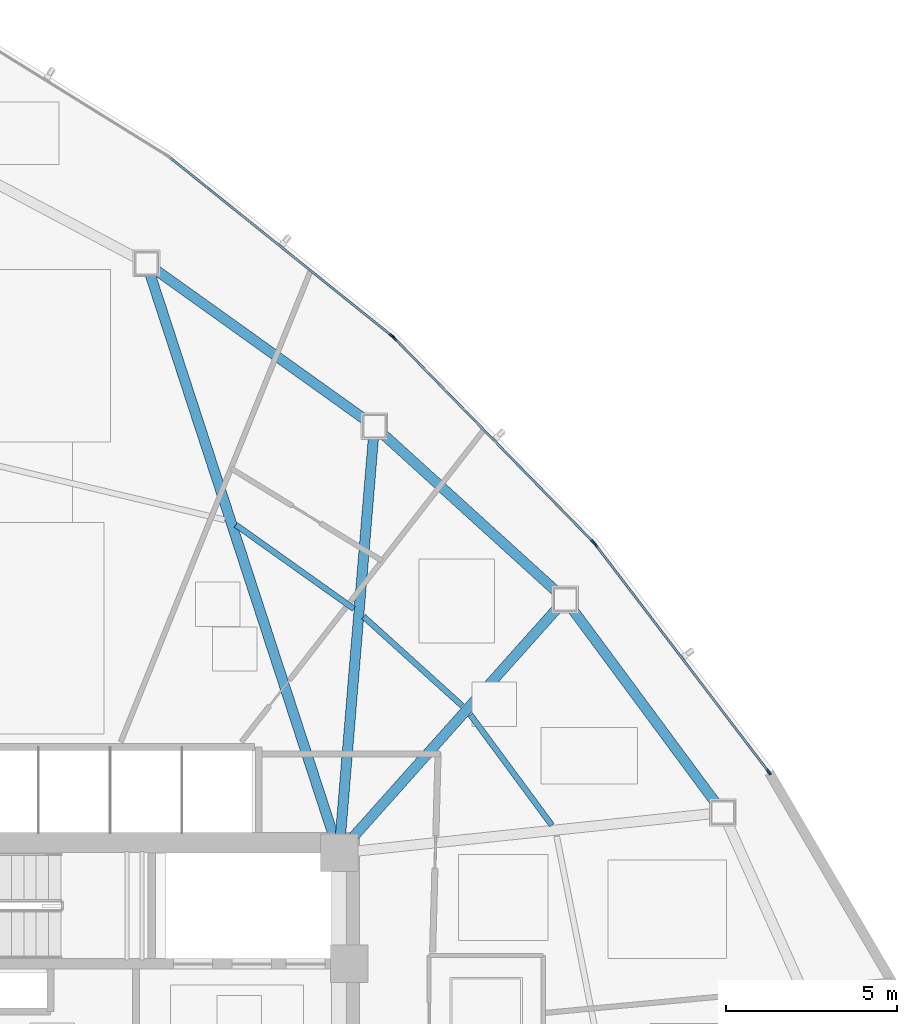
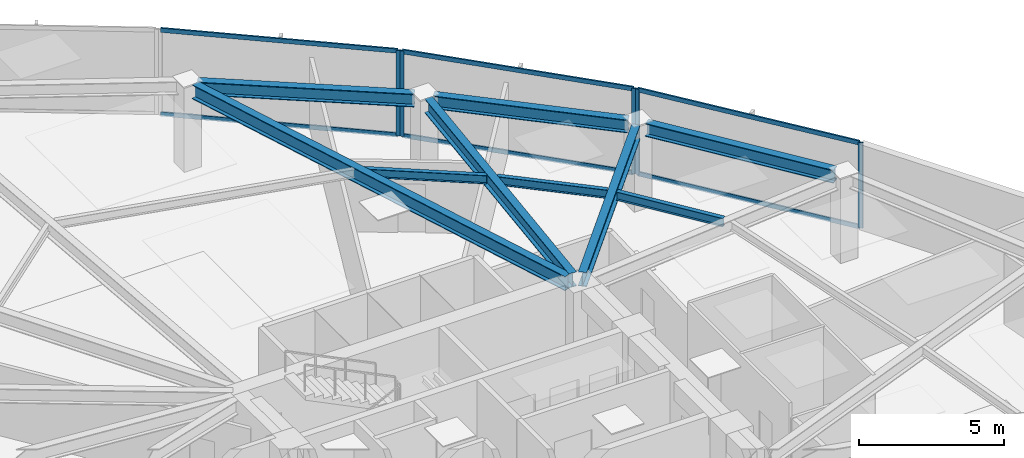
# One storey, part 9 of 17: 11 members, 9 beams, 3 elements without a shape of their own.
"""IFC4 building model written with IfcOpenShell, lengths in metres."""

from ifc_helpers import new_model, si_unit, direction, frame, origin, origin_2d, place, context, subcontext, project, spatial, hollow_rectangle, i_section, extrude, source, transform, mapped, material, layer, layer_set, material_profile, profile_set, type_object, type_shapes, element, aggregate, save


model = new_model("IFC4")

# Units and contexts
model_context = context("Model", 3, precision=1e-05, world=origin(), true_north=direction((0.0, 1.0)))
body_context = subcontext(model_context, "Body", "Model", "MODEL_VIEW")
ifc_project = project(units=[si_unit("LENGTHUNIT", "METRE"), si_unit("AREAUNIT", "SQUARE_METRE"), si_unit("VOLUMEUNIT", "CUBIC_METRE"), si_unit("PLANEANGLEUNIT", "RADIAN"), si_unit("MASSUNIT", "GRAM", prefix="KILO")], contexts=[model_context])

# Site, building, storey
site_placement = place(None, origin())
site = spatial("IfcSite", under=ifc_project, at=site_placement, CompositionType="ELEMENT")
building_placement = place(site_placement, origin())
building = spatial("IfcBuilding", under=site, at=building_placement, Name="Tavelor Broadcast Tower", CompositionType="ELEMENT")
storey_placement = place(building_placement, frame((0.0, 0.0, 70.5)))
storey = spatial("IfcBuildingStorey", under=building, at=storey_placement, Name="L16", CompositionType="ELEMENT", Elevation=70.5)

# Beams
ifc_material_1 = material(Name="Steel S355", Category="steel")
ifc_material_profile_1 = material_profile(ifc_material_1, i_section(OverallWidth=0.169921875, OverallDepth=0.360107421875, WebThickness=0.008056640625, FlangeThickness=0.0126953125, at=origin_2d()), Name="IPE 360")
ifc_profile_set_1 = profile_set([ifc_material_profile_1], Name="Steel S355")
beam_type_1 = type_object("IfcBeamType", Name="Composite Floor Joist T2 IPE 360", PredefinedType="JOIST", material=ifc_profile_set_1)
beam_1_placement = place(storey_placement, frame((62.831298828125, 52.012451171875, 3.419921875), z_axis=(-0.593748309908, 0.804650821463, 0.0), x_axis=(-0.804650821463, -0.593748309908, 0.0)))
element("IfcBeam", 1, at=beam_1_placement, inside=storey, type_object=beam_type_1, Name="L16 Secondary Composite Floor Joist 15", PredefinedType="JOIST", context=body_context, shape_type="SweptSolid", body=[
    extrude(i_section(OverallWidth=0.169921875, OverallDepth=0.360107421875, WebThickness=0.008056640625, FlangeThickness=0.0126953125, at=origin_2d()), origin(), (0.0, 0.0, 1.0), 4.016845703125),
])
beam_2_placement = place(storey_placement, frame((60.20458984375, 55.51171875, 3.419921875), z_axis=(-0.741870075826, 0.670543653011, 0.0), x_axis=(-0.670543653011, -0.741870075826, 0.0)))
element("IfcBeam", 2, at=beam_2_placement, inside=storey, type_object=beam_type_1, Name="L16 Secondary Composite Floor Joist 16", PredefinedType="JOIST", context=body_context, shape_type="SweptSolid", body=[
    extrude(i_section(OverallWidth=0.169921875, OverallDepth=0.360107421875, WebThickness=0.008056640625, FlangeThickness=0.0126953125, at=origin_2d()), origin(), (0.0, 0.0, 1.0), 3.891845703125),
])
beam_3_placement = place(storey_placement, frame((57.03564453125, 58.34765625, 3.419921875), z_axis=(-0.814948080737, 0.579533972864, 0.0), x_axis=(-0.579533972864, -0.814948080737, 0.0)))
element("IfcBeam", 3, at=beam_3_placement, inside=storey, type_object=beam_type_1, Name="L16 Secondary Composite Floor Joist 17", PredefinedType="JOIST", context=body_context, shape_type="SweptSolid", body=[
    extrude(i_section(OverallWidth=0.169921875, OverallDepth=0.360107421875, WebThickness=0.008056640625, FlangeThickness=0.0126953125, at=origin_2d()), origin(), (0.0, 0.0, 1.0), 4.24462890625),
])
ifc_material_profile_2 = material_profile(ifc_material_1, i_section(OverallWidth=0.300048828125, OverallDepth=0.550048828125, WebThickness=0.014892578125, FlangeThickness=0.029052734375, at=origin_2d()), Name="HEB 550")
ifc_profile_set_2 = profile_set([ifc_material_profile_2], Name="Steel S355")
beam_type_2 = type_object("IfcBeamType", Name="Perimeter Spandrel Beam T2 HEB 550", PredefinedType="SPANDREL", material=ifc_profile_set_2)
beam_4_placement = place(storey_placement, frame((67.640869140625, 52.652587890625, 3.324951171875), z_axis=(-0.594676591659, 0.803965018724, 0.0), x_axis=(-0.803965018724, -0.594676591659, 0.0)))
element("IfcBeam", 4, at=beam_4_placement, inside=storey, type_object=beam_type_2, Name="L16 Framed-Tube Ring Spandrel 15", PredefinedType="SPANDREL", context=body_context, shape_type="SweptSolid", body=[
    extrude(i_section(OverallWidth=0.300048828125, OverallDepth=0.550048828125, WebThickness=0.014892578125, FlangeThickness=0.029052734375, at=origin_2d()), origin(), (0.0, 0.0, 1.0), 7.09130859375),
])
beam_5_placement = place(storey_placement, frame((62.975341796875, 58.849609375, 3.324951171875), z_axis=(-0.740416987409, 0.672147814663, 0.0), x_axis=(-0.672147814663, -0.740416987409, 0.0)))
element("IfcBeam", 5, at=beam_5_placement, inside=storey, type_object=beam_type_2, Name="L16 Framed-Tube Ring Spandrel 16", PredefinedType="SPANDREL", context=body_context, shape_type="SweptSolid", body=[
    extrude(i_section(OverallWidth=0.300048828125, OverallDepth=0.550048828125, WebThickness=0.014892578125, FlangeThickness=0.029052734375, at=origin_2d()), origin(), (0.0, 0.0, 1.0), 6.876953125),
])
beam_6_placement = place(storey_placement, frame((57.361572265625, 63.893310546875, 3.324951171875), z_axis=(-0.813492458128, 0.581575464208, 0.0), x_axis=(-0.581575464208, -0.813492458128, 0.0)))
element("IfcBeam", 6, at=beam_6_placement, inside=storey, type_object=beam_type_2, Name="L16 Framed-Tube Ring Spandrel 17", PredefinedType="SPANDREL", context=body_context, shape_type="SweptSolid", body=[
    extrude(i_section(OverallWidth=0.300048828125, OverallDepth=0.550048828125, WebThickness=0.014892578125, FlangeThickness=0.029052734375, at=origin_2d()), origin(), (0.0, 0.0, 1.0), 7.531005859375),
])
ifc_material_profile_3 = material_profile(ifc_material_1, i_section(OverallWidth=0.300048828125, OverallDepth=0.60009765625, WebThickness=0.015380859375, FlangeThickness=0.030029296875, at=origin_2d()), Name="HEB 600")
ifc_profile_set_3 = profile_set([ifc_material_profile_3], Name="Steel S355")
beam_type_3 = type_object("IfcBeamType", Name="Radial Floor Girder T2 HEB 600", PredefinedType="BEAM", material=ifc_profile_set_3)
beam_7_placement = place(storey_placement, frame((56.951416015625, 51.593994140625, 3.300048828125), z_axis=(0.665778646807, 0.74614931043, 0.0), x_axis=(-0.74614931043, 0.665778646807, 0.0)))
element("IfcBeam", 7, at=beam_7_placement, inside=storey, type_object=beam_type_3, Name="L16 Radial Primary Floor Girder 16", PredefinedType="BEAM", context=body_context, shape_type="SweptSolid", body=[
    extrude(i_section(OverallWidth=0.300048828125, OverallDepth=0.60009765625, WebThickness=0.015380859375, FlangeThickness=0.030029296875, at=origin_2d()), origin(), (0.0, 0.0, 1.0), 9.085693359375),
])
beam_8_placement = place(storey_placement, frame((56.6435546875, 51.726318359375, 3.300048828125), z_axis=(0.082528077466, 0.996588739867, 0.0), x_axis=(-0.996588739867, 0.082528077466, 0.0)))
element("IfcBeam", 8, at=beam_8_placement, inside=storey, type_object=beam_type_3, Name="L16 Radial Primary Floor Girder 17", PredefinedType="BEAM", context=body_context, shape_type="SweptSolid", body=[
    extrude(i_section(OverallWidth=0.300048828125, OverallDepth=0.60009765625, WebThickness=0.015380859375, FlangeThickness=0.030029296875, at=origin_2d()), origin(), (0.0, 0.0, 1.0), 11.67626953125),
])
beam_9_placement = place(storey_placement, frame((56.43603515625, 51.701904296875, 3.300048828125), z_axis=(-0.310367170997, 0.950616757251, 0.0), x_axis=(-0.950616757251, -0.310367170997, 0.0)))
element("IfcBeam", 9, at=beam_9_placement, inside=storey, type_object=beam_type_3, Name="L16 Radial Primary Floor Girder 18", PredefinedType="BEAM", context=body_context, shape_type="SweptSolid", body=[
    extrude(i_section(OverallWidth=0.300048828125, OverallDepth=0.60009765625, WebThickness=0.015380859375, FlangeThickness=0.030029296875, at=origin_2d()), origin(), (0.0, 0.0, 1.0), 17.3017578125),
])

# Curtain wall, members
ifc_material_2 = material(Name="Architectural Anodized Aluminium", Category="aluminium")
ifc_layer = layer(ifc_material_2, 0.179931640625)
ifc_layer_set = layer_set([ifc_layer], Name="Architectural Anodized Aluminium")
curtain_wall_type = type_object("IfcCurtainWallType", Name="Tower Low-Zone Unitised Curtain Wall CW02", PredefinedType="NOTDEFINED", material=ifc_layer_set)
curtain_wall_1_placement = place(storey_placement, origin())
curtain_wall_1 = element("IfcCurtainWall", 10, at=curtain_wall_1_placement, inside=storey, type_object=curtain_wall_type, Name="L16 Curtain Wall CW02 Run 153", PredefinedType="NOTDEFINED")
ifc_material_profile_4 = material_profile(ifc_material_2, hollow_rectangle(XDim=0.06494140625, YDim=0.179931640625, WallThickness=0.02197265625, at=origin_2d()), Name="RHS 65x180x22")
ifc_profile_set_4 = profile_set([ifc_material_profile_4], Name="Architectural Anodized Aluminium")
member_type_1 = type_object("IfcMemberType", Name="CW02 Extruded Aluminium Mullion 65x180", PredefinedType="MULLION", material=ifc_profile_set_4)
shared_shape_1 = source(origin(), body_context, "Body", "SweptSolid", [
    extrude(hollow_rectangle(XDim=0.06494140625, YDim=0.179931640625, WallThickness=0.02197265625, at=origin_2d()), origin(), (0.0, 0.0, 1.0), 3.60009765625),
])
type_shapes(member_type_1, [shared_shape_1])
member_1_placement = place(storey_placement, frame((69.186279296875, 53.571044921875, 0.0), z_axis=(0.0, 0.0, 1.0), x_axis=(-0.795209559218, -0.60633469052, 0.0)))
member_1 = element("IfcMember", 11, at=member_1_placement, type_object=member_type_1, Name="CW02 mullion 1", PredefinedType="MULLION", context=body_context, shape_type="MappedRepresentation", body=[
    mapped(shared_shape_1, transform((0.0, 0.0, 0.0), scale=1.0)),
])
member_2_placement = place(storey_placement, frame((64.112060546875, 60.22607421875, 0.0), z_axis=(0.0, 0.0, 1.0), x_axis=(-0.795209559218, -0.60633469052, 0.0)))
member_2 = element("IfcMember", 12, at=member_2_placement, type_object=member_type_1, Name="CW02 mullion 2", PredefinedType="MULLION", context=body_context, shape_type="MappedRepresentation", body=[
    mapped(shared_shape_1, transform((0.0, 0.0, 0.0), scale=1.0)),
])

curtain_wall_2_placement = place(storey_placement, origin())
curtain_wall_2 = element("IfcCurtainWall", 13, at=curtain_wall_2_placement, inside=storey, type_object=curtain_wall_type, Name="L16 Curtain Wall CW02 Run 154", PredefinedType="NOTDEFINED")
member_3_placement = place(storey_placement, frame((64.050048828125, 60.2978515625, 0.0), z_axis=(0.0, 0.0, 1.0), x_axis=(-0.71598292123, -0.698117795581, 0.0)))
member_3 = element("IfcMember", 14, at=member_3_placement, type_object=member_type_1, Name="CW02 mullion 1", PredefinedType="MULLION", context=body_context, shape_type="MappedRepresentation", body=[
    mapped(shared_shape_1, transform((0.0, 0.0, 0.0), scale=1.0)),
])
member_4_placement = place(storey_placement, frame((58.21826171875, 66.27880859375, 0.0), z_axis=(0.0, 0.0, 1.0), x_axis=(-0.71598292123, -0.698117795581, 0.0)))
member_4 = element("IfcMember", 15, at=member_4_placement, type_object=member_type_1, Name="CW02 mullion 2", PredefinedType="MULLION", context=body_context, shape_type="MappedRepresentation", body=[
    mapped(shared_shape_1, transform((0.0, 0.0, 0.0), scale=1.0)),
])

# Curtain wall, member
curtain_wall_3_placement = place(storey_placement, origin())
curtain_wall_3 = element("IfcCurtainWall", 16, at=curtain_wall_3_placement, inside=storey, type_object=curtain_wall_type, Name="L16 Curtain Wall CW02 Run 155", PredefinedType="NOTDEFINED")
member_5_placement = place(storey_placement, frame((58.14794921875, 66.3427734375, 0.0), z_axis=(0.0, 0.0, 1.0), x_axis=(-0.626255379364, -0.779617983257, 0.0)))
member_5 = element("IfcMember", 17, at=member_5_placement, type_object=member_type_1, Name="CW02 mullion 1", PredefinedType="MULLION", context=body_context, shape_type="MappedRepresentation", body=[
    mapped(shared_shape_1, transform((0.0, 0.0, 0.0), scale=1.0)),
])

# Member
ifc_material_profile_5 = material_profile(ifc_material_2, hollow_rectangle(XDim=0.06494140625, YDim=0.179931640625, WallThickness=0.02197265625, at=origin_2d()), Name="RHS 65x180x22")
ifc_profile_set_5 = profile_set([ifc_material_profile_5], Name="Architectural Anodized Aluminium")
member_type_2 = type_object("IfcMemberType", Name="CW02 Extruded Aluminium Transom 65x180", PredefinedType="USERDEFINED", material=ifc_profile_set_5)
shared_shape_2 = source(origin(), body_context, "Body", "SweptSolid", [
    extrude(hollow_rectangle(XDim=0.06494140625, YDim=0.179931640625, WallThickness=0.02197265625, at=origin_2d()), origin(), (0.0, 0.0, 1.0), 8.3037109375),
])
member_6_placement = place(storey_placement, frame((69.16650390625, 53.596923828125, 0.032470703125), z_axis=(-0.606336382414, 0.795208269173, 0.0), x_axis=(-0.795208269173, -0.606336382414, 0.0)))
member_6 = element("IfcMember", 18, at=member_6_placement, type_object=member_type_2, Name="CW02 transom 1.1", ObjectType="TRANSOM", PredefinedType="USERDEFINED", context=body_context, shape_type="MappedRepresentation", body=[
    mapped(shared_shape_2, transform((0.0, 0.0, 0.0), scale=1.0)),
])

member_7_placement = place(storey_placement, frame((69.16650390625, 53.596923828125, 3.5673828125), z_axis=(-0.606336382414, 0.795208269173, 0.0), x_axis=(-0.795208269173, -0.606336382414, 0.0)))
member_7 = element("IfcMember", 19, at=member_7_placement, type_object=member_type_2, Name="CW02 transom 1.2", ObjectType="TRANSOM", PredefinedType="USERDEFINED", context=body_context, shape_type="MappedRepresentation", body=[
    mapped(shared_shape_2, transform((0.0, 0.0, 0.0), scale=1.0)),
])

aggregate(curtain_wall_1, [member_1, member_2, member_6, member_7])

shared_shape_3 = source(origin(), body_context, "Body", "SweptSolid", [
    extrude(hollow_rectangle(XDim=0.06494140625, YDim=0.179931640625, WallThickness=0.02197265625, at=origin_2d()), origin(), (0.0, 0.0, 1.0), 8.28857421875),
])
type_shapes(member_type_2, [shared_shape_2, shared_shape_3])
member_8_placement = place(storey_placement, frame((64.02734375, 60.321044921875, 0.032470703125), z_axis=(-0.698110706221, 0.715989833628, 0.0), x_axis=(-0.715989833628, -0.698110706221, 0.0)))
member_8 = element("IfcMember", 20, at=member_8_placement, type_object=member_type_2, Name="CW02 transom 1.1", ObjectType="TRANSOM", PredefinedType="USERDEFINED", context=body_context, shape_type="MappedRepresentation", body=[
    mapped(shared_shape_3, transform((0.0, 0.0, 0.0), scale=1.0)),
])

member_9_placement = place(storey_placement, frame((64.02734375, 60.321044921875, 3.5673828125), z_axis=(-0.698110706221, 0.715989833628, 0.0), x_axis=(-0.715989833628, -0.698110706221, 0.0)))
member_9 = element("IfcMember", 21, at=member_9_placement, type_object=member_type_2, Name="CW02 transom 1.2", ObjectType="TRANSOM", PredefinedType="USERDEFINED", context=body_context, shape_type="MappedRepresentation", body=[
    mapped(shared_shape_3, transform((0.0, 0.0, 0.0), scale=1.0)),
])

aggregate(curtain_wall_2, [member_3, member_4, member_8, member_9])

member_10_placement = place(storey_placement, frame((58.122802734375, 66.363037109375, 0.032470703125), z_axis=(-0.77962295345, 0.626249191979, 0.0), x_axis=(-0.626249191979, -0.77962295345, 0.0)))
member_10 = element("IfcMember", 22, at=member_10_placement, type_object=member_type_2, Name="CW02 transom 1.1", ObjectType="TRANSOM", PredefinedType="USERDEFINED", context=body_context, shape_type="MappedRepresentation", body=[
    mapped(shared_shape_3, transform((0.0, 0.0, 0.0), scale=1.0)),
])

member_11_placement = place(storey_placement, frame((58.122802734375, 66.363037109375, 3.5673828125), z_axis=(-0.77962295345, 0.626249191979, 0.0), x_axis=(-0.626249191979, -0.77962295345, 0.0)))
member_11 = element("IfcMember", 23, at=member_11_placement, type_object=member_type_2, Name="CW02 transom 1.2", ObjectType="TRANSOM", PredefinedType="USERDEFINED", context=body_context, shape_type="MappedRepresentation", body=[
    mapped(shared_shape_3, transform((0.0, 0.0, 0.0), scale=1.0)),
])

aggregate(curtain_wall_3, [member_5, member_10, member_11])

save(model, "model.ifc")
